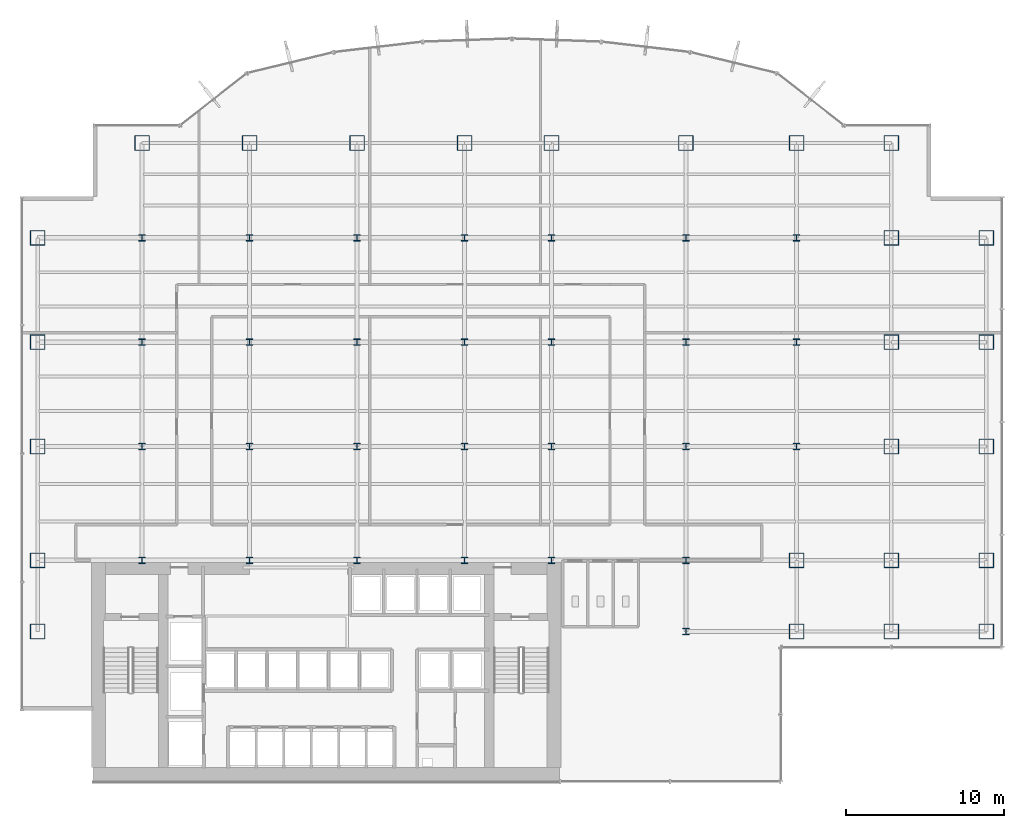
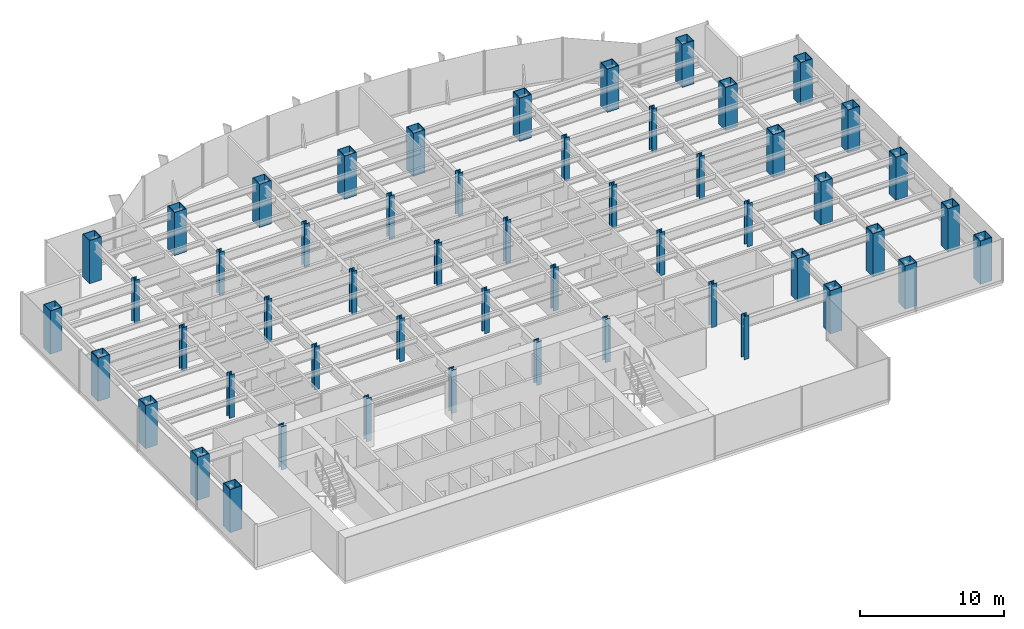
# One storey, part 1 of 22: 53 columns.
"""IFC4 building model written with IfcOpenShell, lengths in metres."""

from ifc_helpers import new_model, si_unit, derived_unit, direction, frame, origin, origin_2d, place, context, subcontext, project, spatial, hollow_rectangle, i_section, extrude, source, transform, mapped, material, material_profile, profile_set, type_object, element, save


model = new_model("IFC4")

# Units and contexts
model_context = context("Model", 3, precision=1e-05, world=origin(), true_north=direction((0.0, 1.0)))
body_context = subcontext(model_context, "Body", "Model", "MODEL_VIEW")
ifc_project = project(units=[si_unit("LENGTHUNIT", "METRE"), si_unit("AREAUNIT", "SQUARE_METRE"), si_unit("VOLUMEUNIT", "CUBIC_METRE"), si_unit("PLANEANGLEUNIT", "RADIAN"), si_unit("MASSUNIT", "GRAM", prefix="KILO"), derived_unit("THERMALTRANSMITTANCEUNIT", [(si_unit("POWERUNIT", "WATT"), 1), (si_unit("LENGTHUNIT", "METRE"), -2), (si_unit("THERMODYNAMICTEMPERATUREUNIT", "KELVIN"), -1)])], contexts=[model_context])

# Site, building, storey
site_placement = place(None, origin())
site = spatial("IfcSite", under=ifc_project, at=site_placement, CompositionType="ELEMENT")
building_placement = place(site_placement, origin())
building = spatial("IfcBuilding", under=site, at=building_placement, Name="Skarnbrae Concourse Arena and Tower", CompositionType="ELEMENT")
storey_placement = place(building_placement, frame((0.0, 0.0, 36.14990234375)))
storey = spatial("IfcBuildingStorey", under=building, at=storey_placement, Name="L07", CompositionType="ELEMENT", Elevation=36.14990234375)

# Columns
ifc_material = material(Name="Steel CSA G40.21 350W", Category="steel")
ifc_material_profile_1 = material_profile(ifc_material, hollow_rectangle(XDim=0.949951171875, YDim=0.949951171875, WallThickness=0.044921875, at=origin_2d()), Name="BOX950X950X45")
ifc_profile_set_1 = profile_set([ifc_material_profile_1], Name="Steel CSA G40.21 350W")
column_type_1 = type_object("IfcColumnType", Name="COL-TUBE-BOX950", PredefinedType="COLUMN", material=ifc_profile_set_1)
shared_shape_1 = source(origin(), body_context, "Body", "SweptSolid", [
    extrude(hollow_rectangle(XDim=0.949951171875, YDim=0.949951171875, WallThickness=0.044921875, at=origin_2d()), origin(), (0.0, 0.0, 1.0), 3.650146484375),
])
for number, where, z_axis, x_axis, name in (
    (1, (1.0, 9.5, 0.0), (0.0, 0.0, 1.0), (1.0, 0.0, 0.0), "L07 Tower column PC_01_01"),
    (2, (1.0, 14.0, 0.0), (0.0, 0.0, 1.0), (1.0, 0.0, 0.0), "L07 Tower column PC_01_02"),
    (3, (1.0, 21.199951171875, 0.0), (0.0, 0.0, 1.0), (1.0, 0.0, 0.0), "L07 Tower column PC_01_03"),
    (4, (1.0, 27.800048828125, 0.0), (0.0, 0.0, 1.0), (1.0, 0.0, 0.0), "L07 Tower column PC_01_04"),
    (5, (1.0, 34.39990234375, 0.0), (0.0, 0.0, 1.0), (1.0, 0.0, 0.0), "L07 Tower column PC_01_05"),
    (6, (7.60009765625, 40.39990234375, 0.0), (0.0, 0.0, 1.0), (1.0, 0.0, 0.0), "L07 Tower column PC_02_06"),
    (7, (14.39990234375, 40.39990234375, 0.0), (0.0, 0.0, 1.0), (1.0, 0.0, 0.0), "L07 Tower column PC_03_06"),
    (8, (21.199951171875, 40.39990234375, 0.0), (0.0, 0.0, 1.0), (1.0, 0.0, 0.0), "L07 Tower column PC_04_06"),
    (9, (28.0, 40.39990234375, 0.0), (0.0, 0.0, 1.0), (1.0, 0.0, 0.0), "L07 Tower column PC_05_06"),
    (10, (33.5, 40.39990234375, 0.0), (0.0, 0.0, 1.0), (1.0, 0.0, 0.0), "L07 Tower column PC_06_06"),
    (11, (42.0, 40.39990234375, 0.0), (0.0, 0.0, 1.0), (1.0, 0.0, 0.0), "L07 Tower column PC_07_06"),
    (12, (49.0, 9.5, 0.0), (0.0, 0.0, 1.0), (1.0, 0.0, 0.0), "L07 Tower column PC_08_01"),
    (13, (49.0, 14.0, 0.0), (0.0, 0.0, 1.0), (1.0, 0.0, 0.0), "L07 Tower column PC_08_02"),
    (14, (49.0, 40.39990234375, 0.0), (0.0, 0.0, 1.0), (1.0, 0.0, 0.0), "L07 Tower column PC_08_06"),
    (15, (55.0, 9.5, 0.0), (0.0, 0.0, 1.0), (1.0, 0.0, 0.0), "L07 Tower column PC_09_01"),
    (16, (55.0, 14.0, 0.0), (0.0, 0.0, 1.0), (1.0, 0.0, 0.0), "L07 Tower column PC_09_02"),
    (17, (55.0, 21.199951171875, 0.0), (0.0, 0.0, 1.0), (1.0, 0.0, 0.0), "L07 Tower column PC_09_03"),
    (18, (55.0, 27.800048828125, 0.0), (0.0, 0.0, 1.0), (1.0, 0.0, 0.0), "L07 Tower column PC_09_04"),
    (19, (55.0, 34.39990234375, 0.0), (0.0, 0.0, 1.0), (1.0, 0.0, 0.0), "L07 Tower column PC_09_05"),
    (20, (55.0, 40.39990234375, 0.0), (0.0, 0.0, 1.0), (1.0, 0.0, 0.0), "L07 Tower column PC_09_06"),
    (21, (61.0, 9.5, 0.0), (0.0, 0.0, 1.0), (1.0, 0.0, 0.0), "L07 Tower column PC_10_01"),
    (22, (61.0, 14.0, 0.0), (0.0, 0.0, 1.0), (1.0, 0.0, 0.0), "L07 Tower column PC_10_02"),
    (23, (61.0, 21.199951171875, 0.0), (0.0, 0.0, 1.0), (1.0, 0.0, 0.0), "L07 Tower column PC_10_03"),
    (24, (61.0, 27.800048828125, 0.0), (0.0, 0.0, 1.0), (1.0, 0.0, 0.0), "L07 Tower column PC_10_04"),
    (25, (61.0, 34.39990234375, 0.0), (0.0, 0.0, 1.0), (1.0, 0.0, 0.0), "L07 Tower column PC_10_05"),
):
    element("IfcColumn", number, at=place(storey_placement, frame(where, z_axis=z_axis, x_axis=x_axis)), inside=storey, type_object=column_type_1, Name=name, PredefinedType="COLUMN", context=body_context, shape_type="MappedRepresentation", body=[
        mapped(shared_shape_1, transform((0.0, 0.0, 0.0))),
    ])
ifc_material_profile_2 = material_profile(ifc_material, i_section(OverallWidth=0.406005859375, OverallDepth=0.416015625, WebThickness=0.02978515625, FlangeThickness=0.048095703125, at=origin_2d()), Name="W360X382")
ifc_profile_set_2 = profile_set([ifc_material_profile_2], Name="Steel CSA G40.21 350W")
column_type_2 = type_object("IfcColumnType", Name="COL-INT-W360X382", PredefinedType="COLUMN", material=ifc_profile_set_2)
shared_shape_2 = source(origin(), body_context, "Body", "SweptSolid", [
    extrude(i_section(OverallWidth=0.406005859375, OverallDepth=0.416015625, WebThickness=0.02978515625, FlangeThickness=0.048095703125, at=origin_2d()), origin(), (0.0, 0.0, 1.0), 3.650146484375),
])
for number, where, z_axis, x_axis, name in (
    (26, (7.60009765625, 14.0, 0.0), (0.0, 0.0, 1.0), (1.0, 0.0, 0.0), "L07 Tower column IC_02_02"),
    (27, (7.60009765625, 21.199951171875, 0.0), (0.0, 0.0, 1.0), (1.0, 0.0, 0.0), "L07 Tower column IC_02_03"),
    (28, (7.60009765625, 27.800048828125, 0.0), (0.0, 0.0, 1.0), (1.0, 0.0, 0.0), "L07 Tower column IC_02_04"),
    (29, (7.60009765625, 34.39990234375, 0.0), (0.0, 0.0, 1.0), (1.0, 0.0, 0.0), "L07 Tower column IC_02_05"),
    (30, (14.39990234375, 14.0, 0.0), (0.0, 0.0, 1.0), (1.0, 0.0, 0.0), "L07 Tower column IC_03_02"),
    (31, (14.39990234375, 21.199951171875, 0.0), (0.0, 0.0, 1.0), (1.0, 0.0, 0.0), "L07 Tower column IC_03_03"),
    (32, (14.39990234375, 27.800048828125, 0.0), (0.0, 0.0, 1.0), (1.0, 0.0, 0.0), "L07 Tower column IC_03_04"),
    (33, (14.39990234375, 34.39990234375, 0.0), (0.0, 0.0, 1.0), (1.0, 0.0, 0.0), "L07 Tower column IC_03_05"),
    (34, (21.199951171875, 14.0, 0.0), (0.0, 0.0, 1.0), (1.0, 0.0, 0.0), "L07 Tower column IC_04_02"),
    (35, (21.199951171875, 21.199951171875, 0.0), (0.0, 0.0, 1.0), (1.0, 0.0, 0.0), "L07 Tower column IC_04_03"),
    (36, (21.199951171875, 27.800048828125, 0.0), (0.0, 0.0, 1.0), (1.0, 0.0, 0.0), "L07 Tower column IC_04_04"),
    (37, (21.199951171875, 34.39990234375, 0.0), (0.0, 0.0, 1.0), (1.0, 0.0, 0.0), "L07 Tower column IC_04_05"),
    (38, (28.0, 14.0, 0.0), (0.0, 0.0, 1.0), (1.0, 0.0, 0.0), "L07 Tower column IC_05_02"),
    (39, (28.0, 21.199951171875, 0.0), (0.0, 0.0, 1.0), (1.0, 0.0, 0.0), "L07 Tower column IC_05_03"),
    (40, (28.0, 27.800048828125, 0.0), (0.0, 0.0, 1.0), (1.0, 0.0, 0.0), "L07 Tower column IC_05_04"),
    (41, (28.0, 34.39990234375, 0.0), (0.0, 0.0, 1.0), (1.0, 0.0, 0.0), "L07 Tower column IC_05_05"),
    (42, (33.5, 14.0, 0.0), (0.0, 0.0, 1.0), (1.0, 0.0, 0.0), "L07 Tower column IC_06_02"),
    (43, (33.5, 21.199951171875, 0.0), (0.0, 0.0, 1.0), (1.0, 0.0, 0.0), "L07 Tower column IC_06_03"),
    (44, (33.5, 27.800048828125, 0.0), (0.0, 0.0, 1.0), (1.0, 0.0, 0.0), "L07 Tower column IC_06_04"),
    (45, (33.5, 34.39990234375, 0.0), (0.0, 0.0, 1.0), (1.0, 0.0, 0.0), "L07 Tower column IC_06_05"),
    (46, (42.0, 9.5, 0.0), (0.0, 0.0, 1.0), (1.0, 0.0, 0.0), "L07 Tower column IC_07_01"),
    (47, (42.0, 14.0, 0.0), (0.0, 0.0, 1.0), (1.0, 0.0, 0.0), "L07 Tower column IC_07_02"),
    (48, (42.0, 21.199951171875, 0.0), (0.0, 0.0, 1.0), (1.0, 0.0, 0.0), "L07 Tower column IC_07_03"),
    (49, (42.0, 27.800048828125, 0.0), (0.0, 0.0, 1.0), (1.0, 0.0, 0.0), "L07 Tower column IC_07_04"),
    (50, (42.0, 34.39990234375, 0.0), (0.0, 0.0, 1.0), (1.0, 0.0, 0.0), "L07 Tower column IC_07_05"),
    (51, (49.0, 21.199951171875, 0.0), (0.0, 0.0, 1.0), (1.0, 0.0, 0.0), "L07 Tower column IC_08_03"),
    (52, (49.0, 27.800048828125, 0.0), (0.0, 0.0, 1.0), (1.0, 0.0, 0.0), "L07 Tower column IC_08_04"),
    (53, (49.0, 34.39990234375, 0.0), (0.0, 0.0, 1.0), (1.0, 0.0, 0.0), "L07 Tower column IC_08_05"),
):
    element("IfcColumn", number, at=place(storey_placement, frame(where, z_axis=z_axis, x_axis=x_axis)), inside=storey, type_object=column_type_2, Name=name, PredefinedType="COLUMN", context=body_context, shape_type="MappedRepresentation", body=[
        mapped(shared_shape_2, transform((0.0, 0.0, 0.0))),
    ])

save(model, "model.ifc")
